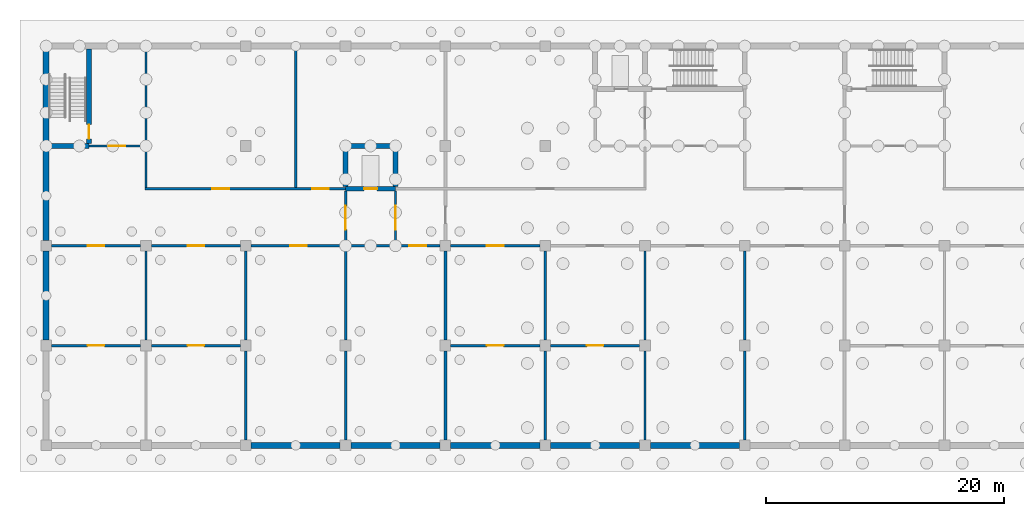
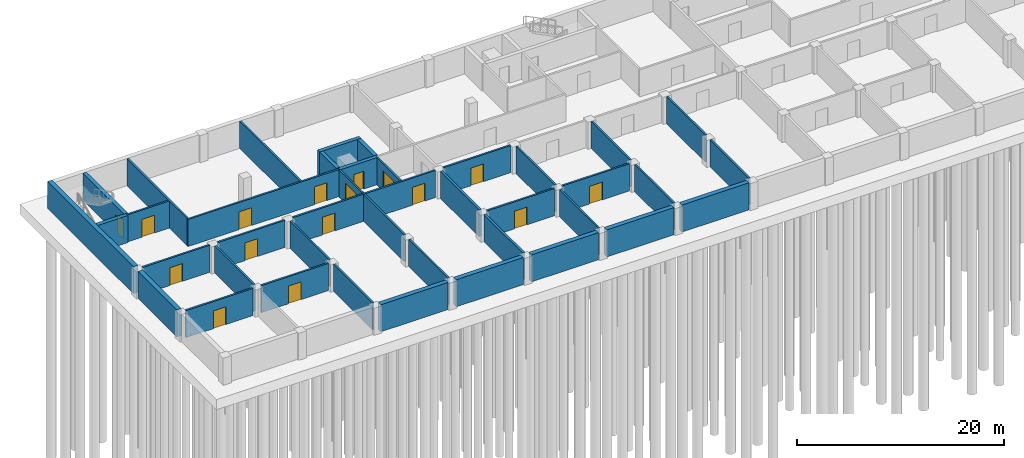
# One storey, part 4 of 11: 40 walls, 16 doors, 16 openings.
"""IFC4 building model written with IfcOpenShell, lengths in metres."""

from ifc_helpers import new_model, si_unit, direction, frame, frame_2d, origin, place, context, subcontext, project, spatial, rectangle, extrude, material, layer, layer_set, type_object, element, fill, save


model = new_model("IFC4")

# Units and contexts
model_context = context("Model", 3, precision=1e-05, world=origin(), true_north=direction((0.0, 1.0)))
body_context = subcontext(model_context, "Body", "Model", "MODEL_VIEW")
ifc_project = project(units=[si_unit("LENGTHUNIT", "METRE"), si_unit("AREAUNIT", "SQUARE_METRE"), si_unit("VOLUMEUNIT", "CUBIC_METRE"), si_unit("PLANEANGLEUNIT", "RADIAN"), si_unit("MASSUNIT", "GRAM", prefix="KILO")], contexts=[model_context])

# Site, building, storey
site_placement = place(None, origin())
site = spatial("IfcSite", under=ifc_project, at=site_placement, CompositionType="ELEMENT")
building_placement = place(site_placement, origin())
building = spatial("IfcBuilding", under=site, at=building_placement, Name="Yavir Park General Hospital", CompositionType="ELEMENT")
storey_placement = place(building_placement, frame((0.0, 0.0, -15.0)))
storey = spatial("IfcBuildingStorey", under=building, at=storey_placement, Name="B4", CompositionType="ELEMENT", Elevation=-15.0)

# Walls
ifc_material_1 = material(Name="Concrete C30/37", Category="concrete")
ifc_layer_1 = layer(ifc_material_1, 0.25)
ifc_layer_set_1 = layer_set([ifc_layer_1], Name="Concrete C30/37")
wall_type_1 = type_object("IfcWallType", Name="Compartment fire wall 250, REI 150", PredefinedType="SOLIDWALL", material=ifc_layer_set_1)
for number, where, z_axis, x_axis, name in (
    (1, (33.60009765625, 0.449951171875, 0.0), (0.0, 0.0, 1.0), (0.0, 1.0, 0.0), "FW25 B4-070"),
    (2, (33.60009765625, 8.85009765625, 0.0), (0.0, 0.0, 1.0), (0.0, 1.0, 0.0), "FW25 B4-071"),
):
    element("IfcWall", number, at=place(storey_placement, frame(where, z_axis=z_axis, x_axis=x_axis)), inside=storey, type_object=wall_type_1, Name=name, PredefinedType="SOLIDWALL", context=body_context, shape_type="SweptSolid", body=[
        extrude(rectangle(XDim=7.5, YDim=0.25, at=frame_2d((3.75, 0.0))), origin(), (0.0, 0.0, 1.0), 3.199951171875),
    ])

# Wall, opening, door
ifc_material_2 = material(Name="Double gypsum board fire partition on steel studs", Category="steel")
ifc_layer_2 = layer(ifc_material_2, 0.199951171875)
ifc_layer_set_2 = layer_set([ifc_layer_2], Name="Double gypsum board fire partition on steel studs")
wall_type_2 = type_object("IfcWallType", Name="Fire-rated partition 200, EI 60", PredefinedType="PARTITIONING", material=ifc_layer_set_2)
wall_1_placement = place(storey_placement, frame((0.449951171875, 8.39990234375, 0.0), z_axis=(0.0, 0.0, 1.0), x_axis=(1.0, 0.0, 0.0)))
wall_1 = element("IfcWall", 3, at=wall_1_placement, inside=storey, type_object=wall_type_2, Name="FP20 B4-001", PredefinedType="PARTITIONING", context=body_context, shape_type="SweptSolid", body=[
    extrude(rectangle(XDim=7.5, YDim=0.199951171875, at=frame_2d((3.75, 0.0))), origin(), (0.0, 0.0, 1.0), 3.199951171875),
])
opening_1_placement = place(wall_1_placement, frame((3.050048828125, 0.0, 0.0)))
opening_1 = element("IfcOpeningElement", 4, at=opening_1_placement, cuts=wall_1, Name="Opening B4.D001", PredefinedType="OPENING", context=body_context, shape_type="SweptSolid", body=[
    extrude(rectangle(XDim=1.39990234375, YDim=2.10009765625, at=frame_2d((0.699951171875, 1.050048828125))), frame((0.0, 0.10986328125, 0.0), z_axis=(0.0, -1.0, 0.0), x_axis=(1.0, 0.0, 0.0)), (0.0, 0.0, 1.0), 0.219970703125),
])
ifc_material_3 = material(Name="Steel frame, fire-resisting timber leaves", Category="steel")
door_type_1 = type_object("IfcDoorType", Name="Double fire door 1400 x 2100, EI 60", OperationType="DOUBLE_DOOR_SINGLE_SWING", PredefinedType="DOOR", material=ifc_material_3)
door_1_placement = place(opening_1_placement, origin())
door_1 = element("IfcDoor", 5, at=door_1_placement, inside=storey, type_object=door_type_1, Name="B4.D001", OperationType="SINGLE_SWING_LEFT", OverallHeight=2.10009765625, OverallWidth=1.39990234375, PredefinedType="DOOR", context=body_context, shape_type="SweptSolid", body=[
    extrude(rectangle(XDim=1.39990234375, YDim=2.10009765625, at=frame_2d((0.699951171875, 1.050048828125))), frame((0.0, 0.02490234375, 0.0), z_axis=(0.0, -1.0, 0.0), x_axis=(1.0, 0.0, 0.0)), (0.0, 0.0, 1.0), 0.050048828125),
])
fill(opening_1, door_1)

wall_2_placement = place(storey_placement, frame((8.85009765625, 8.39990234375, 0.0), z_axis=(0.0, 0.0, 1.0), x_axis=(1.0, 0.0, 0.0)))
wall_2 = element("IfcWall", 6, at=wall_2_placement, inside=storey, type_object=wall_type_2, Name="FP20 B4-002", PredefinedType="PARTITIONING", context=body_context, shape_type="SweptSolid", body=[
    extrude(rectangle(XDim=7.5, YDim=0.199951171875, at=frame_2d((3.75, 0.0))), origin(), (0.0, 0.0, 1.0), 3.199951171875),
])
opening_2_placement = place(wall_2_placement, frame((3.050048828125, 0.0, 0.0)))
opening_2 = element("IfcOpeningElement", 7, at=opening_2_placement, cuts=wall_2, Name="Opening B4.D002", PredefinedType="OPENING", context=body_context, shape_type="SweptSolid", body=[
    extrude(rectangle(XDim=1.39990234375, YDim=2.10009765625, at=frame_2d((0.699951171875, 1.050048828125))), frame((0.0, 0.10986328125, 0.0), z_axis=(0.0, -1.0, 0.0), x_axis=(1.0, 0.0, 0.0)), (0.0, 0.0, 1.0), 0.219970703125),
])
door_2_placement = place(opening_2_placement, origin())
door_2 = element("IfcDoor", 8, at=door_2_placement, inside=storey, type_object=door_type_1, Name="B4.D002", OperationType="SINGLE_SWING_LEFT", OverallHeight=2.10009765625, OverallWidth=1.39990234375, PredefinedType="DOOR", context=body_context, shape_type="SweptSolid", body=[
    extrude(rectangle(XDim=1.39990234375, YDim=2.10009765625, at=frame_2d((0.699951171875, 1.050048828125))), frame((0.0, 0.02490234375, 0.0), z_axis=(0.0, -1.0, 0.0), x_axis=(1.0, 0.0, 0.0)), (0.0, 0.0, 1.0), 0.050048828125),
])
fill(opening_2, door_2)

wall_3_placement = place(storey_placement, frame((34.050048828125, 8.39990234375, 0.0), z_axis=(0.0, 0.0, 1.0), x_axis=(1.0, 0.0, 0.0)))
wall_3 = element("IfcWall", 9, at=wall_3_placement, inside=storey, type_object=wall_type_2, Name="FP20 B4-003", PredefinedType="PARTITIONING", context=body_context, shape_type="SweptSolid", body=[
    extrude(rectangle(XDim=7.5, YDim=0.199951171875, at=frame_2d((3.75, 0.0))), origin(), (0.0, 0.0, 1.0), 3.199951171875),
])
opening_3_placement = place(wall_3_placement, frame((3.050048828125, 0.0, 0.0)))
opening_3 = element("IfcOpeningElement", 10, at=opening_3_placement, cuts=wall_3, Name="Opening B4.D003", PredefinedType="OPENING", context=body_context, shape_type="SweptSolid", body=[
    extrude(rectangle(XDim=1.39990234375, YDim=2.10009765625, at=frame_2d((0.699951171875, 1.050048828125))), frame((0.0, 0.10986328125, 0.0), z_axis=(0.0, -1.0, 0.0), x_axis=(1.0, 0.0, 0.0)), (0.0, 0.0, 1.0), 0.219970703125),
])
door_3_placement = place(opening_3_placement, origin())
door_3 = element("IfcDoor", 11, at=door_3_placement, inside=storey, type_object=door_type_1, Name="B4.D003", OperationType="SINGLE_SWING_LEFT", OverallHeight=2.10009765625, OverallWidth=1.39990234375, PredefinedType="DOOR", context=body_context, shape_type="SweptSolid", body=[
    extrude(rectangle(XDim=1.39990234375, YDim=2.10009765625, at=frame_2d((0.699951171875, 1.050048828125))), frame((0.0, 0.02490234375, 0.0), z_axis=(0.0, -1.0, 0.0), x_axis=(1.0, 0.0, 0.0)), (0.0, 0.0, 1.0), 0.050048828125),
])
fill(opening_3, door_3)

wall_4_placement = place(storey_placement, frame((42.449951171875, 8.39990234375, 0.0), z_axis=(0.0, 0.0, 1.0), x_axis=(1.0, 0.0, 0.0)))
wall_4 = element("IfcWall", 12, at=wall_4_placement, inside=storey, type_object=wall_type_2, Name="FP20 B4-004", PredefinedType="PARTITIONING", context=body_context, shape_type="SweptSolid", body=[
    extrude(rectangle(XDim=7.5, YDim=0.199951171875, at=frame_2d((3.75, 0.0))), origin(), (0.0, 0.0, 1.0), 3.199951171875),
])
opening_4_placement = place(wall_4_placement, frame((3.050048828125, 0.0, 0.0)))
opening_4 = element("IfcOpeningElement", 13, at=opening_4_placement, cuts=wall_4, Name="Opening B4.D004", PredefinedType="OPENING", context=body_context, shape_type="SweptSolid", body=[
    extrude(rectangle(XDim=1.39990234375, YDim=2.10009765625, at=frame_2d((0.699951171875, 1.050048828125))), frame((0.0, 0.10986328125, 0.0), z_axis=(0.0, -1.0, 0.0), x_axis=(1.0, 0.0, 0.0)), (0.0, 0.0, 1.0), 0.219970703125),
])
door_4_placement = place(opening_4_placement, origin())
door_4 = element("IfcDoor", 14, at=door_4_placement, inside=storey, type_object=door_type_1, Name="B4.D004", OperationType="SINGLE_SWING_LEFT", OverallHeight=2.10009765625, OverallWidth=1.39990234375, PredefinedType="DOOR", context=body_context, shape_type="SweptSolid", body=[
    extrude(rectangle(XDim=1.39990234375, YDim=2.10009765625, at=frame_2d((0.699951171875, 1.050048828125))), frame((0.0, 0.02490234375, 0.0), z_axis=(0.0, -1.0, 0.0), x_axis=(1.0, 0.0, 0.0)), (0.0, 0.0, 1.0), 0.050048828125),
])
fill(opening_4, door_4)

wall_5_placement = place(storey_placement, frame((0.449951171875, 16.800048828125, 0.0), z_axis=(0.0, 0.0, 1.0), x_axis=(1.0, 0.0, 0.0)))
wall_5 = element("IfcWall", 15, at=wall_5_placement, inside=storey, type_object=wall_type_2, Name="FP20 B4-011", PredefinedType="PARTITIONING", context=body_context, shape_type="SweptSolid", body=[
    extrude(rectangle(XDim=7.5, YDim=0.199951171875, at=frame_2d((3.75, 0.0))), origin(), (0.0, 0.0, 1.0), 3.199951171875),
])
opening_5_placement = place(wall_5_placement, frame((3.050048828125, 0.0, 0.0)))
opening_5 = element("IfcOpeningElement", 16, at=opening_5_placement, cuts=wall_5, Name="Opening B4.D011", PredefinedType="OPENING", context=body_context, shape_type="SweptSolid", body=[
    extrude(rectangle(XDim=1.39990234375, YDim=2.10009765625, at=frame_2d((0.699951171875, 1.050048828125))), frame((0.0, 0.10986328125, 0.0), z_axis=(0.0, -1.0, 0.0), x_axis=(1.0, 0.0, 0.0)), (0.0, 0.0, 1.0), 0.219970703125),
])
door_5_placement = place(opening_5_placement, origin())
door_5 = element("IfcDoor", 17, at=door_5_placement, inside=storey, type_object=door_type_1, Name="B4.D011", OperationType="SINGLE_SWING_LEFT", OverallHeight=2.10009765625, OverallWidth=1.39990234375, PredefinedType="DOOR", context=body_context, shape_type="SweptSolid", body=[
    extrude(rectangle(XDim=1.39990234375, YDim=2.10009765625, at=frame_2d((0.699951171875, 1.050048828125))), frame((0.0, 0.02490234375, 0.0), z_axis=(0.0, -1.0, 0.0), x_axis=(1.0, 0.0, 0.0)), (0.0, 0.0, 1.0), 0.050048828125),
])
fill(opening_5, door_5)

wall_6_placement = place(storey_placement, frame((8.85009765625, 16.800048828125, 0.0), z_axis=(0.0, 0.0, 1.0), x_axis=(1.0, 0.0, 0.0)))
wall_6 = element("IfcWall", 18, at=wall_6_placement, inside=storey, type_object=wall_type_2, Name="FP20 B4-012", PredefinedType="PARTITIONING", context=body_context, shape_type="SweptSolid", body=[
    extrude(rectangle(XDim=7.5, YDim=0.199951171875, at=frame_2d((3.75, 0.0))), origin(), (0.0, 0.0, 1.0), 3.199951171875),
])
opening_6_placement = place(wall_6_placement, frame((3.050048828125, 0.0, 0.0)))
opening_6 = element("IfcOpeningElement", 19, at=opening_6_placement, cuts=wall_6, Name="Opening B4.D012", PredefinedType="OPENING", context=body_context, shape_type="SweptSolid", body=[
    extrude(rectangle(XDim=1.39990234375, YDim=2.10009765625, at=frame_2d((0.699951171875, 1.050048828125))), frame((0.0, 0.10986328125, 0.0), z_axis=(0.0, -1.0, 0.0), x_axis=(1.0, 0.0, 0.0)), (0.0, 0.0, 1.0), 0.219970703125),
])
door_6_placement = place(opening_6_placement, origin())
door_6 = element("IfcDoor", 20, at=door_6_placement, inside=storey, type_object=door_type_1, Name="B4.D012", OperationType="SINGLE_SWING_LEFT", OverallHeight=2.10009765625, OverallWidth=1.39990234375, PredefinedType="DOOR", context=body_context, shape_type="SweptSolid", body=[
    extrude(rectangle(XDim=1.39990234375, YDim=2.10009765625, at=frame_2d((0.699951171875, 1.050048828125))), frame((0.0, 0.02490234375, 0.0), z_axis=(0.0, -1.0, 0.0), x_axis=(1.0, 0.0, 0.0)), (0.0, 0.0, 1.0), 0.050048828125),
])
fill(opening_6, door_6)

# Wall, openings, doors
wall_7_placement = place(storey_placement, frame((17.25, 16.800048828125, 0.0), z_axis=(0.0, 0.0, 1.0), x_axis=(1.0, 0.0, 0.0)))
wall_7 = element("IfcWall", 21, at=wall_7_placement, inside=storey, type_object=wall_type_2, Name="FP20 B4-013", PredefinedType="PARTITIONING", context=body_context, shape_type="SweptSolid", body=[
    extrude(rectangle(XDim=15.89990234375, YDim=0.199951171875, at=frame_2d((7.949951171875, 0.0))), origin(), (0.0, 0.0, 1.0), 3.199951171875),
])
opening_7_placement = place(wall_7_placement, frame((3.27490234375, 0.0, 0.0)))
opening_7 = element("IfcOpeningElement", 22, at=opening_7_placement, cuts=wall_7, Name="Opening B4.D013", PredefinedType="OPENING", context=body_context, shape_type="SweptSolid", body=[
    extrude(rectangle(XDim=1.39990234375, YDim=2.10009765625, at=frame_2d((0.699951171875, 1.050048828125))), frame((0.0, 0.10986328125, 0.0), z_axis=(0.0, -1.0, 0.0), x_axis=(1.0, 0.0, 0.0)), (0.0, 0.0, 1.0), 0.219970703125),
])
opening_8_placement = place(wall_7_placement, frame((13.324951171875, 0.0, 0.0)))
opening_8 = element("IfcOpeningElement", 23, at=opening_8_placement, cuts=wall_7, Name="Opening B4.D014", PredefinedType="OPENING", context=body_context, shape_type="SweptSolid", body=[
    extrude(rectangle(XDim=1.39990234375, YDim=2.10009765625, at=frame_2d((0.699951171875, 1.050048828125))), frame((0.0, 0.10986328125, 0.0), z_axis=(0.0, -1.0, 0.0), x_axis=(1.0, 0.0, 0.0)), (0.0, 0.0, 1.0), 0.219970703125),
])
door_7_placement = place(opening_7_placement, origin())
door_7 = element("IfcDoor", 24, at=door_7_placement, inside=storey, type_object=door_type_1, Name="B4.D013", OperationType="SINGLE_SWING_RIGHT", OverallHeight=2.10009765625, OverallWidth=1.39990234375, PredefinedType="DOOR", context=body_context, shape_type="SweptSolid", body=[
    extrude(rectangle(XDim=1.39990234375, YDim=2.10009765625, at=frame_2d((0.699951171875, 1.050048828125))), frame((0.0, 0.02490234375, 0.0), z_axis=(0.0, -1.0, 0.0), x_axis=(1.0, 0.0, 0.0)), (0.0, 0.0, 1.0), 0.050048828125),
])
fill(opening_7, door_7)
door_8_placement = place(opening_8_placement, origin())
door_8 = element("IfcDoor", 25, at=door_8_placement, inside=storey, type_object=door_type_1, Name="B4.D014", OperationType="SINGLE_SWING_RIGHT", OverallHeight=2.10009765625, OverallWidth=1.39990234375, PredefinedType="DOOR", context=body_context, shape_type="SweptSolid", body=[
    extrude(rectangle(XDim=1.39990234375, YDim=2.10009765625, at=frame_2d((0.699951171875, 1.050048828125))), frame((0.0, 0.02490234375, 0.0), z_axis=(0.0, -1.0, 0.0), x_axis=(1.0, 0.0, 0.0)), (0.0, 0.0, 1.0), 0.050048828125),
])
fill(opening_8, door_8)

# Wall, opening, door
wall_8_placement = place(storey_placement, frame((34.050048828125, 16.800048828125, 0.0), z_axis=(0.0, 0.0, 1.0), x_axis=(1.0, 0.0, 0.0)))
wall_8 = element("IfcWall", 26, at=wall_8_placement, inside=storey, type_object=wall_type_2, Name="FP20 B4-014", PredefinedType="PARTITIONING", context=body_context, shape_type="SweptSolid", body=[
    extrude(rectangle(XDim=7.5, YDim=0.199951171875, at=frame_2d((3.75, 0.0))), origin(), (0.0, 0.0, 1.0), 3.199951171875),
])
opening_9_placement = place(wall_8_placement, frame((3.050048828125, 0.0, 0.0)))
opening_9 = element("IfcOpeningElement", 27, at=opening_9_placement, cuts=wall_8, Name="Opening B4.D015", PredefinedType="OPENING", context=body_context, shape_type="SweptSolid", body=[
    extrude(rectangle(XDim=1.39990234375, YDim=2.10009765625, at=frame_2d((0.699951171875, 1.050048828125))), frame((0.0, 0.10986328125, 0.0), z_axis=(0.0, -1.0, 0.0), x_axis=(1.0, 0.0, 0.0)), (0.0, 0.0, 1.0), 0.219970703125),
])
door_9_placement = place(opening_9_placement, origin())
door_9 = element("IfcDoor", 28, at=door_9_placement, inside=storey, type_object=door_type_1, Name="B4.D015", OperationType="SINGLE_SWING_LEFT", OverallHeight=2.10009765625, OverallWidth=1.39990234375, PredefinedType="DOOR", context=body_context, shape_type="SweptSolid", body=[
    extrude(rectangle(XDim=1.39990234375, YDim=2.10009765625, at=frame_2d((0.699951171875, 1.050048828125))), frame((0.0, 0.02490234375, 0.0), z_axis=(0.0, -1.0, 0.0), x_axis=(1.0, 0.0, 0.0)), (0.0, 0.0, 1.0), 0.050048828125),
])
fill(opening_9, door_9)

# Wall, openings, doors
wall_9_placement = place(storey_placement, frame((8.300048828125, 21.60009765625, 0.0), z_axis=(0.0, 0.0, 1.0), x_axis=(1.0, 0.0, 0.0)))
wall_9 = element("IfcWall", 29, at=wall_9_placement, inside=storey, type_object=wall_type_2, Name="FP20 B4-028", PredefinedType="PARTITIONING", context=body_context, shape_type="SweptSolid", body=[
    extrude(rectangle(XDim=16.89990234375, YDim=0.199951171875, at=frame_2d((8.449951171875, 0.0))), origin(), (0.0, 0.0, 1.0), 3.199951171875),
])
opening_10_placement = place(wall_9_placement, frame((5.699951171875, 0.0, 0.0)))
opening_10 = element("IfcOpeningElement", 30, at=opening_10_placement, cuts=wall_9, Name="Opening B4.D030", PredefinedType="OPENING", context=body_context, shape_type="SweptSolid", body=[
    extrude(rectangle(XDim=1.39990234375, YDim=2.10009765625, at=frame_2d((0.699951171875, 1.050048828125))), frame((0.0, 0.10986328125, 0.0), z_axis=(0.0, -1.0, 0.0), x_axis=(1.0, 0.0, 0.0)), (0.0, 0.0, 1.0), 0.219970703125),
])
opening_11_placement = place(wall_9_placement, frame((14.10009765625, 0.0, 0.0)))
opening_11 = element("IfcOpeningElement", 31, at=opening_11_placement, cuts=wall_9, Name="Opening B4.D031", PredefinedType="OPENING", context=body_context, shape_type="SweptSolid", body=[
    extrude(rectangle(XDim=1.39990234375, YDim=2.10009765625, at=frame_2d((0.699951171875, 1.050048828125))), frame((0.0, 0.10986328125, 0.0), z_axis=(0.0, -1.0, 0.0), x_axis=(1.0, 0.0, 0.0)), (0.0, 0.0, 1.0), 0.219970703125),
])
door_10_placement = place(opening_10_placement, origin())
door_10 = element("IfcDoor", 32, at=door_10_placement, inside=storey, type_object=door_type_1, Name="B4.D030", OperationType="SINGLE_SWING_RIGHT", OverallHeight=2.10009765625, OverallWidth=1.39990234375, PredefinedType="DOOR", context=body_context, shape_type="SweptSolid", body=[
    extrude(rectangle(XDim=1.39990234375, YDim=2.10009765625, at=frame_2d((0.699951171875, 1.050048828125))), frame((0.0, 0.02490234375, 0.0), z_axis=(0.0, -1.0, 0.0), x_axis=(1.0, 0.0, 0.0)), (0.0, 0.0, 1.0), 0.050048828125),
])
fill(opening_10, door_10)
door_11_placement = place(opening_11_placement, origin())
door_11 = element("IfcDoor", 33, at=door_11_placement, inside=storey, type_object=door_type_1, Name="B4.D031", OperationType="SINGLE_SWING_RIGHT", OverallHeight=2.10009765625, OverallWidth=1.39990234375, PredefinedType="DOOR", context=body_context, shape_type="SweptSolid", body=[
    extrude(rectangle(XDim=1.39990234375, YDim=2.10009765625, at=frame_2d((0.699951171875, 1.050048828125))), frame((0.0, 0.02490234375, 0.0), z_axis=(0.0, -1.0, 0.0), x_axis=(1.0, 0.0, 0.0)), (0.0, 0.0, 1.0), 0.050048828125),
])
fill(opening_11, door_11)

# Wall, opening, door
wall_10_placement = place(storey_placement, frame((3.60009765625, 25.199951171875, 0.0), z_axis=(0.0, 0.0, 1.0), x_axis=(1.0, 0.0, 0.0)))
wall_10 = element("IfcWall", 34, at=wall_10_placement, inside=storey, type_object=wall_type_2, Name="FP20 B4-041", PredefinedType="PARTITIONING", context=body_context, shape_type="SweptSolid", body=[
    extrude(rectangle(XDim=4.699951171875, YDim=0.199951171875, at=frame_2d((2.35009765625, 0.0))), origin(), (0.0, 0.0, 1.0), 3.199951171875),
])
opening_12_placement = place(wall_10_placement, frame((1.64990234375, 0.0, 0.0)))
opening_12 = element("IfcOpeningElement", 35, at=opening_12_placement, cuts=wall_10, Name="Opening B4.D043", PredefinedType="OPENING", context=body_context, shape_type="SweptSolid", body=[
    extrude(rectangle(XDim=1.39990234375, YDim=2.10009765625, at=frame_2d((0.699951171875, 1.050048828125))), frame((0.0, 0.10986328125, 0.0), z_axis=(0.0, -1.0, 0.0), x_axis=(1.0, 0.0, 0.0)), (0.0, 0.0, 1.0), 0.219970703125),
])
ifc_material_4 = material(Name="Steel frame, fire-resisting leaves with vision panels", Category="steel")
door_type_2 = type_object("IfcDoorType", Name="Double fire door with vision panels 1400 x 2100, EI 60", OperationType="DOUBLE_DOOR_SINGLE_SWING", PredefinedType="DOOR", material=ifc_material_4)
door_12_placement = place(opening_12_placement, origin())
door_12 = element("IfcDoor", 36, at=door_12_placement, inside=storey, type_object=door_type_2, Name="B4.D043", OperationType="SINGLE_SWING_LEFT", OverallHeight=2.10009765625, OverallWidth=1.39990234375, PredefinedType="DOOR", context=body_context, shape_type="SweptSolid", body=[
    extrude(rectangle(XDim=1.39990234375, YDim=2.10009765625, at=frame_2d((0.699951171875, 1.050048828125))), frame((0.0, 0.030029296875, 0.0), z_axis=(0.0, -1.0, 0.0), x_axis=(1.0, 0.0, 0.0)), (0.0, 0.0, 1.0), 0.06005859375),
])
fill(opening_12, door_12)

# Walls
wall_11_placement = place(storey_placement, frame((8.39990234375, 8.85009765625, 0.0), z_axis=(0.0, 0.0, 1.0), x_axis=(0.0, 1.0, 0.0)))
element("IfcWall", 37, at=wall_11_placement, inside=storey, type_object=wall_type_2, Name="FP20 B4-059", PredefinedType="PARTITIONING", context=body_context, shape_type="SweptSolid", body=[
    extrude(rectangle(XDim=7.5, YDim=0.199951171875, at=frame_2d((3.75, 0.0))), origin(), (0.0, 0.0, 1.0), 3.199951171875),
])
wall_12_placement = place(storey_placement, frame((8.39990234375, 21.699951171875, 0.0), z_axis=(0.0, 0.0, 1.0), x_axis=(0.0, 1.0, 0.0)))
element("IfcWall", 38, at=wall_12_placement, inside=storey, type_object=wall_type_2, Name="FP20 B4-060", PredefinedType="PARTITIONING", context=body_context, shape_type="SweptSolid", body=[
    extrude(rectangle(XDim=11.650146484375, YDim=0.199951171875, at=frame_2d((5.8251953125, 0.0))), origin(), (0.0, 0.0, 1.0), 3.199951171875),
])
for number, where, z_axis, x_axis, name in (
    (39, (16.800048828125, 0.449951171875, 0.0), (0.0, 0.0, 1.0), (0.0, 1.0, 0.0), "FP20 B4-061"),
    (40, (16.800048828125, 8.85009765625, 0.0), (0.0, 0.0, 1.0), (0.0, 1.0, 0.0), "FP20 B4-062"),
):
    element("IfcWall", number, at=place(storey_placement, frame(where, z_axis=z_axis, x_axis=x_axis)), inside=storey, type_object=wall_type_2, Name=name, PredefinedType="PARTITIONING", context=body_context, shape_type="SweptSolid", body=[
        extrude(rectangle(XDim=7.5, YDim=0.199951171875, at=frame_2d((3.75, 0.0))), origin(), (0.0, 0.0, 1.0), 3.199951171875),
    ])
wall_13_placement = place(storey_placement, frame((21.0, 21.699951171875, 0.0), z_axis=(0.0, 0.0, 1.0), x_axis=(0.0, 1.0, 0.0)))
element("IfcWall", 41, at=wall_13_placement, inside=storey, type_object=wall_type_2, Name="FP20 B4-063", PredefinedType="PARTITIONING", context=body_context, shape_type="SweptSolid", body=[
    extrude(rectangle(XDim=11.650146484375, YDim=0.199951171875, at=frame_2d((5.8251953125, 0.0))), origin(), (0.0, 0.0, 1.0), 3.199951171875),
])
wall_14_placement = place(storey_placement, frame((25.199951171875, 0.449951171875, 0.0), z_axis=(0.0, 0.0, 1.0), x_axis=(0.0, 1.0, 0.0)))
element("IfcWall", 42, at=wall_14_placement, inside=storey, type_object=wall_type_2, Name="FP20 B4-064", PredefinedType="PARTITIONING", context=body_context, shape_type="SweptSolid", body=[
    extrude(rectangle(XDim=7.5, YDim=0.199951171875, at=frame_2d((3.75, 0.0))), origin(), (0.0, 0.0, 1.0), 3.199951171875),
])
wall_15_placement = place(storey_placement, frame((25.199951171875, 8.85009765625, 0.0), z_axis=(0.0, 0.0, 1.0), x_axis=(0.0, 1.0, 0.0)))
element("IfcWall", 43, at=wall_15_placement, inside=storey, type_object=wall_type_2, Name="FP20 B4-065", PredefinedType="PARTITIONING", context=body_context, shape_type="SweptSolid", body=[
    extrude(rectangle(XDim=7.849853515625, YDim=0.199951171875, at=frame_2d((3.9248046875, 0.0))), origin(), (0.0, 0.0, 1.0), 3.199951171875),
])

# Wall, opening, door
wall_16_placement = place(storey_placement, frame((25.199951171875, 16.89990234375, 0.0), z_axis=(0.0, 0.0, 1.0), x_axis=(0.0, 1.0, 0.0)))
wall_16 = element("IfcWall", 44, at=wall_16_placement, inside=storey, type_object=wall_type_2, Name="FP20 B4-066", PredefinedType="PARTITIONING", context=body_context, shape_type="SweptSolid", body=[
    extrude(rectangle(XDim=4.5, YDim=0.199951171875, at=frame_2d((2.25, 0.0))), origin(), (0.0, 0.0, 1.0), 3.199951171875),
])
opening_13_placement = place(wall_16_placement, frame((1.25, 0.0, 0.0)))
opening_13 = element("IfcOpeningElement", 45, at=opening_13_placement, cuts=wall_16, Name="Opening B4.D057", PredefinedType="OPENING", context=body_context, shape_type="SweptSolid", body=[
    extrude(rectangle(XDim=2.0, YDim=2.39990234375, at=frame_2d((1.0, 1.199951171875))), frame((0.0, 0.10986328125, 0.0), z_axis=(0.0, -1.0, 0.0), x_axis=(1.0, 0.0, 0.0)), (0.0, 0.0, 1.0), 0.219970703125),
])
ifc_material_5 = material(Name="Steel frame, fire-resisting leaves with vision panels", Category="steel")
door_type_3 = type_object("IfcDoorType", Name="Double fire door with vision panels 2000 x 2400, EI 60", OperationType="DOUBLE_DOOR_SINGLE_SWING", PredefinedType="DOOR", material=ifc_material_5)
door_13_placement = place(opening_13_placement, origin())
door_13 = element("IfcDoor", 46, at=door_13_placement, inside=storey, type_object=door_type_3, Name="B4.D057", OperationType="SINGLE_SWING_RIGHT", OverallHeight=2.39990234375, OverallWidth=2.0, PredefinedType="DOOR", context=body_context, shape_type="SweptSolid", body=[
    extrude(rectangle(XDim=2.0, YDim=2.39990234375, at=frame_2d((1.0, 1.199951171875))), frame((0.0, 0.030029296875, 0.0), z_axis=(0.0, -1.0, 0.0), x_axis=(1.0, 0.0, 0.0)), (0.0, 0.0, 1.0), 0.06005859375),
])
fill(opening_13, door_13)

wall_17_placement = place(storey_placement, frame((29.39990234375, 16.89990234375, 0.0), z_axis=(0.0, 0.0, 1.0), x_axis=(0.0, 1.0, 0.0)))
wall_17 = element("IfcWall", 47, at=wall_17_placement, inside=storey, type_object=wall_type_2, Name="FP20 B4-068", PredefinedType="PARTITIONING", context=body_context, shape_type="SweptSolid", body=[
    extrude(rectangle(XDim=4.5, YDim=0.199951171875, at=frame_2d((2.25, 0.0))), origin(), (0.0, 0.0, 1.0), 3.199951171875),
])
opening_14_placement = place(wall_17_placement, frame((1.25, 0.0, 0.0)))
opening_14 = element("IfcOpeningElement", 48, at=opening_14_placement, cuts=wall_17, Name="Opening B4.D058", PredefinedType="OPENING", context=body_context, shape_type="SweptSolid", body=[
    extrude(rectangle(XDim=2.0, YDim=2.39990234375, at=frame_2d((1.0, 1.199951171875))), frame((0.0, 0.10986328125, 0.0), z_axis=(0.0, -1.0, 0.0), x_axis=(1.0, 0.0, 0.0)), (0.0, 0.0, 1.0), 0.219970703125),
])
door_14_placement = place(opening_14_placement, origin())
door_14 = element("IfcDoor", 49, at=door_14_placement, inside=storey, type_object=door_type_3, Name="B4.D058", OperationType="SINGLE_SWING_LEFT", OverallHeight=2.39990234375, OverallWidth=2.0, PredefinedType="DOOR", context=body_context, shape_type="SweptSolid", body=[
    extrude(rectangle(XDim=2.0, YDim=2.39990234375, at=frame_2d((1.0, 1.199951171875))), frame((0.0, 0.030029296875, 0.0), z_axis=(0.0, -1.0, 0.0), x_axis=(1.0, 0.0, 0.0)), (0.0, 0.0, 1.0), 0.06005859375),
])
fill(opening_14, door_14)

# Walls
for number, where, z_axis, x_axis, name in (
    (50, (42.0, 0.449951171875, 0.0), (0.0, 0.0, 1.0), (0.0, 1.0, 0.0), "FP20 B4-075"),
    (51, (42.0, 8.85009765625, 0.0), (0.0, 0.0, 1.0), (0.0, 1.0, 0.0), "FP20 B4-076"),
    (52, (50.39990234375, 0.449951171875, 0.0), (0.0, 0.0, 1.0), (0.0, 1.0, 0.0), "FP20 B4-079"),
    (53, (50.39990234375, 8.85009765625, 0.0), (0.0, 0.0, 1.0), (0.0, 1.0, 0.0), "FP20 B4-080"),
    (54, (58.800048828125, 0.449951171875, 0.0), (0.0, 0.0, 1.0), (0.0, 1.0, 0.0), "FP20 B4-084"),
    (55, (58.800048828125, 8.85009765625, 0.0), (0.0, 0.0, 1.0), (0.0, 1.0, 0.0), "FP20 B4-085"),
):
    element("IfcWall", number, at=place(storey_placement, frame(where, z_axis=z_axis, x_axis=x_axis)), inside=storey, type_object=wall_type_2, Name=name, PredefinedType="PARTITIONING", context=body_context, shape_type="SweptSolid", body=[
        extrude(rectangle(XDim=7.5, YDim=0.199951171875, at=frame_2d((3.75, 0.0))), origin(), (0.0, 0.0, 1.0), 3.199951171875),
    ])
ifc_material_6 = material(Name="Concrete C35/45", Category="concrete")
ifc_layer_3 = layer(ifc_material_6, 0.5)
ifc_layer_set_3 = layer_set([ifc_layer_3], Name="Concrete C35/45")
wall_type_3 = type_object("IfcWallType", Name="RC WALL RETAINING 500", PredefinedType="SOLIDWALL", material=ifc_layer_set_3)
for number, where, z_axis, x_axis, name in (
    (56, (17.25, 0.0, 0.0), (0.0, 0.0, 1.0), (1.0, 0.0, 0.0), "W:RET:B4:S2"),
    (57, (25.64990234375, 0.0, 0.0), (0.0, 0.0, 1.0), (1.0, 0.0, 0.0), "W:RET:B4:S3"),
    (58, (34.050048828125, 0.0, 0.0), (0.0, 0.0, 1.0), (1.0, 0.0, 0.0), "W:RET:B4:S4"),
    (59, (42.449951171875, 0.0, 0.0), (0.0, 0.0, 1.0), (1.0, 0.0, 0.0), "W:RET:B4:S5"),
    (60, (50.85009765625, 0.0, 0.0), (0.0, 0.0, 1.0), (1.0, 0.0, 0.0), "W:RET:B4:S6"),
    (61, (0.0, 8.85009765625, 0.0), (0.0, 0.0, 1.0), (0.0, 1.0, 0.0), "W:RET:B4:W31"),
):
    element("IfcWall", number, at=place(storey_placement, frame(where, z_axis=z_axis, x_axis=x_axis)), inside=storey, type_object=wall_type_3, Name=name, PredefinedType="SOLIDWALL", context=body_context, shape_type="SweptSolid", body=[
        extrude(rectangle(XDim=7.5, YDim=0.5, at=frame_2d((3.75, 0.0))), origin(), (0.0, 0.0, 1.0), 3.199951171875),
    ])
wall_18_placement = place(storey_placement, frame((0.0, 17.25, 0.0), z_axis=(0.0, 0.0, 1.0), x_axis=(0.0, 1.0, 0.0)))
element("IfcWall", 62, at=wall_18_placement, inside=storey, type_object=wall_type_3, Name="W:RET:B4:W32", PredefinedType="SOLIDWALL", context=body_context, shape_type="SweptSolid", body=[
    extrude(rectangle(XDim=16.60009765625, YDim=0.5, at=frame_2d((8.300048828125, 0.0))), origin(), (0.0, 0.0, 1.0), 3.199951171875),
])

# Wall, opening, door
ifc_material_7 = material(Name="Concrete C35/45", Category="concrete")
ifc_layer_4 = layer(ifc_material_7, 0.39990234375)
ifc_layer_set_4 = layer_set([ifc_layer_4], Name="Concrete C35/45")
wall_type_4 = type_object("IfcWallType", Name="Reinforced concrete core wall 400, REI 150", PredefinedType="SHEAR", material=ifc_layer_set_4)
wall_19_placement = place(storey_placement, frame((25.199951171875, 21.60009765625, 0.0), z_axis=(0.0, 0.0, 1.0), x_axis=(1.0, 0.0, 0.0)))
wall_19 = element("IfcWall", 63, at=wall_19_placement, inside=storey, type_object=wall_type_4, Name="CW40 B4-029", PredefinedType="SHEAR", context=body_context, shape_type="SweptSolid", body=[
    extrude(rectangle(XDim=4.199951171875, YDim=0.39990234375, at=frame_2d((2.10009765625, 0.0))), origin(), (0.0, 0.0, 1.0), 3.199951171875),
])
opening_15_placement = place(wall_19_placement, frame((1.550048828125, 0.0, 0.0)))
opening_15 = element("IfcOpeningElement", 64, at=opening_15_placement, cuts=wall_19, Name="Opening B4.D032", PredefinedType="OPENING", context=body_context, shape_type="SweptSolid", body=[
    extrude(rectangle(XDim=1.10009765625, YDim=2.10009765625, at=frame_2d((0.550048828125, 1.050048828125))), frame((0.0, 0.2099609375, 0.0), z_axis=(0.0, -1.0, 0.0), x_axis=(1.0, 0.0, 0.0)), (0.0, 0.0, 1.0), 0.419921875),
])
ifc_material_8 = material(Name="Stainless steel landing door panels", Category="steel")
door_type_4 = type_object("IfcDoorType", Name="Lift landing door 1100 x 2100, EI 60", OperationType="SLIDING_TO_LEFT", PredefinedType="DOOR", material=ifc_material_8)
door_15_placement = place(opening_15_placement, origin())
door_15 = element("IfcDoor", 65, at=door_15_placement, inside=storey, type_object=door_type_4, Name="B4.D032", OperationType="SLIDING_TO_LEFT", OverallHeight=2.10009765625, OverallWidth=1.10009765625, PredefinedType="DOOR", context=body_context, shape_type="SweptSolid", body=[
    extrude(rectangle(XDim=1.10009765625, YDim=2.10009765625, at=frame_2d((0.550048828125, 1.050048828125))), frame((0.0, 0.02490234375, 0.0), z_axis=(0.0, -1.0, 0.0), x_axis=(1.0, 0.0, 0.0)), (0.0, 0.0, 1.0), 0.050048828125),
])
fill(opening_15, door_15)

# Walls
wall_20_placement = place(storey_placement, frame((0.25, 25.199951171875, 0.0), z_axis=(0.0, 0.0, 1.0), x_axis=(1.0, 0.0, 0.0)))
element("IfcWall", 66, at=wall_20_placement, inside=storey, type_object=wall_type_4, Name="CW40 B4-040", PredefinedType="SHEAR", context=body_context, shape_type="SweptSolid", body=[
    extrude(rectangle(XDim=3.35009765625, YDim=0.39990234375, at=frame_2d((1.675048828125, 0.0))), origin(), (0.0, 0.0, 1.0), 3.199951171875),
])
wall_21_placement = place(storey_placement, frame((25.0, 25.199951171875, 0.0), z_axis=(0.0, 0.0, 1.0), x_axis=(1.0, 0.0, 0.0)))
element("IfcWall", 67, at=wall_21_placement, inside=storey, type_object=wall_type_4, Name="CW40 B4-042", PredefinedType="SHEAR", context=body_context, shape_type="SweptSolid", body=[
    extrude(rectangle(XDim=4.60009765625, YDim=0.39990234375, at=frame_2d((2.300048828125, 0.0))), origin(), (0.0, 0.0, 1.0), 3.199951171875),
])

# Wall, opening, door
wall_22_placement = place(storey_placement, frame((3.60009765625, 25.39990234375, 0.0), z_axis=(0.0, 0.0, 1.0), x_axis=(0.0, 1.0, 0.0)))
wall_22 = element("IfcWall", 68, at=wall_22_placement, inside=storey, type_object=wall_type_4, Name="CW40 B4-057", PredefinedType="SHEAR", context=body_context, shape_type="SweptSolid", body=[
    extrude(rectangle(XDim=7.9501953125, YDim=0.39990234375, at=frame_2d((3.97509765625, 0.0))), origin(), (0.0, 0.0, 1.0), 3.199951171875),
])
opening_16_placement = place(wall_22_placement, frame((0.39990234375, 0.0, 0.0)))
opening_16 = element("IfcOpeningElement", 69, at=opening_16_placement, cuts=wall_22, Name="Opening B4.D056", PredefinedType="OPENING", context=body_context, shape_type="SweptSolid", body=[
    extrude(rectangle(XDim=1.199951171875, YDim=2.10009765625, at=frame_2d((0.60009765625, 1.050048828125))), frame((0.0, 0.2099609375, 0.0), z_axis=(0.0, -1.0, 0.0), x_axis=(1.0, 0.0, 0.0)), (0.0, 0.0, 1.0), 0.419921875),
])
ifc_material_9 = material(Name="Steel frame, fire-resisting timber leaf", Category="steel")
door_type_5 = type_object("IfcDoorType", Name="Fire door 1200 x 2100, EI 60", OperationType="SINGLE_SWING_LEFT", PredefinedType="DOOR", material=ifc_material_9)
door_16_placement = place(opening_16_placement, origin())
door_16 = element("IfcDoor", 70, at=door_16_placement, inside=storey, type_object=door_type_5, Name="B4.D056", OperationType="SINGLE_SWING_RIGHT", OverallHeight=2.10009765625, OverallWidth=1.199951171875, PredefinedType="DOOR", context=body_context, shape_type="SweptSolid", body=[
    extrude(rectangle(XDim=1.199951171875, YDim=2.10009765625, at=frame_2d((0.60009765625, 1.050048828125))), frame((0.0, 0.02490234375, 0.0), z_axis=(0.0, -1.0, 0.0), x_axis=(1.0, 0.0, 0.0)), (0.0, 0.0, 1.0), 0.050048828125),
])
fill(opening_16, door_16)

# Walls
for number, where, z_axis, x_axis, name in (
    (71, (25.199951171875, 21.800048828125, 0.0), (0.0, 0.0, 1.0), (0.0, 1.0, 0.0), "CW40 B4-067"),
    (72, (29.39990234375, 21.800048828125, 0.0), (0.0, 0.0, 1.0), (0.0, 1.0, 0.0), "CW40 B4-069"),
):
    element("IfcWall", number, at=place(storey_placement, frame(where, z_axis=z_axis, x_axis=x_axis)), inside=storey, type_object=wall_type_4, Name=name, PredefinedType="SHEAR", context=body_context, shape_type="SweptSolid", body=[
        extrude(rectangle(XDim=3.199951171875, YDim=0.39990234375, at=frame_2d((1.60009765625, 0.0))), origin(), (0.0, 0.0, 1.0), 3.199951171875),
    ])

save(model, "model.ifc")
